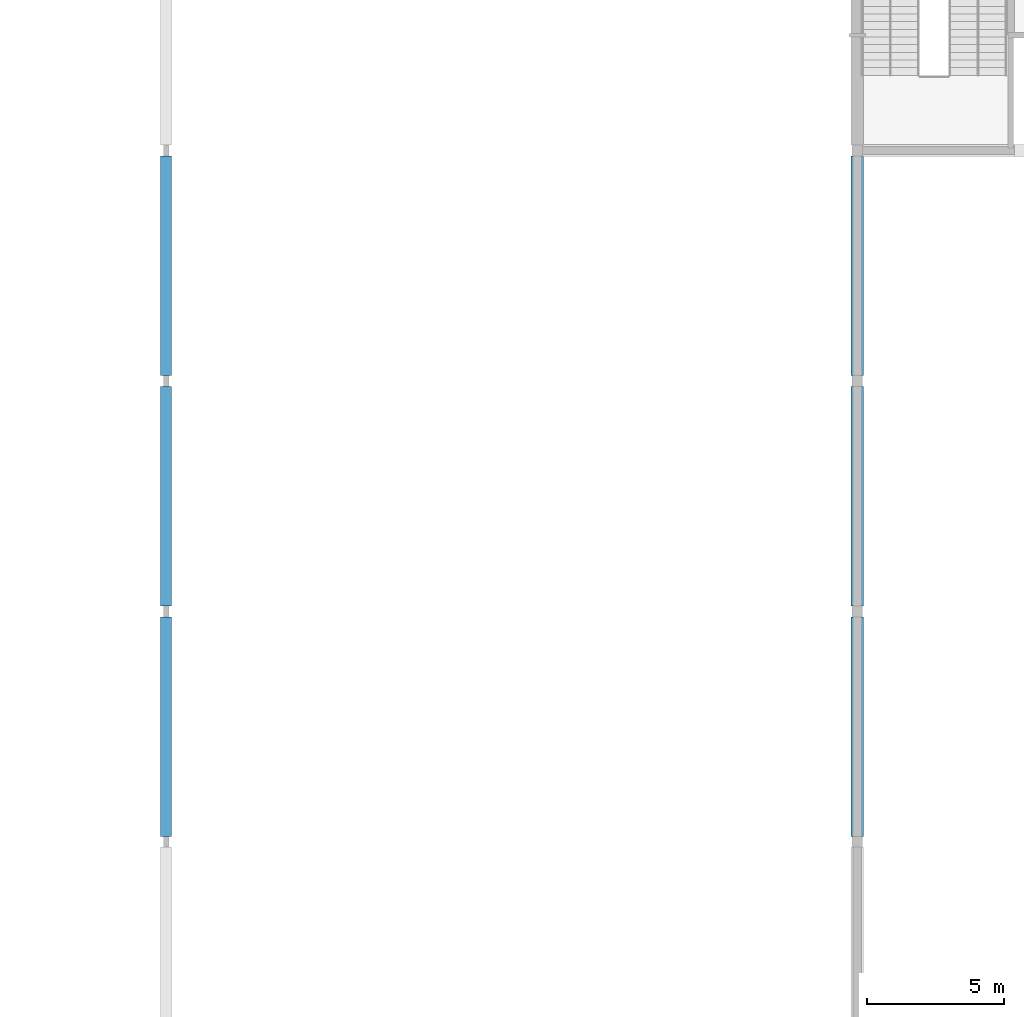
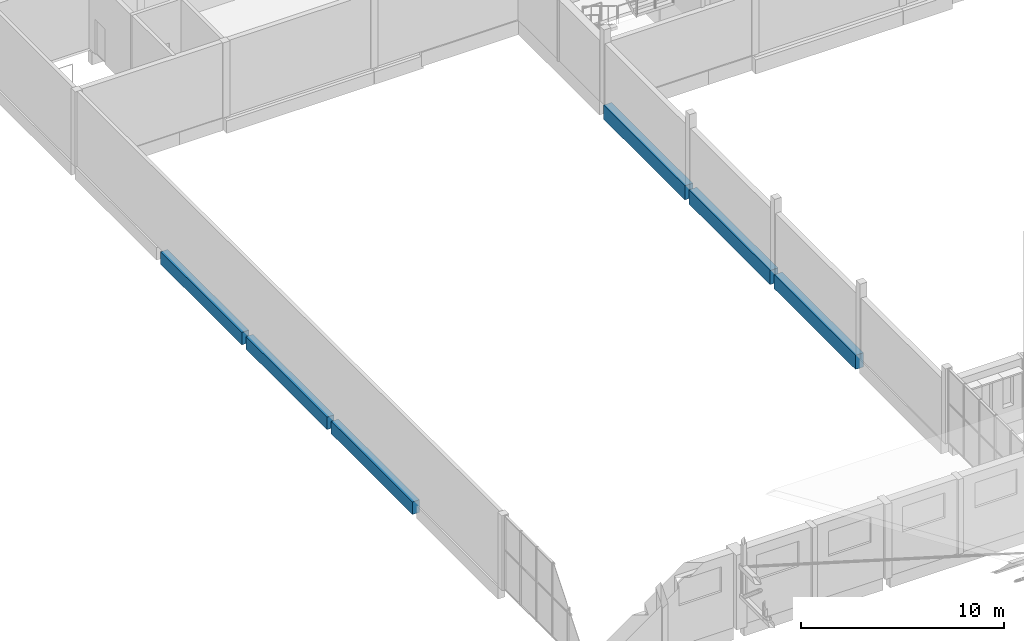
# One storey, part 42 of 101: 6 beams.
"""IFC4 building model written with IfcOpenShell, lengths in metres."""

from ifc_helpers import new_model, si_unit, direction, frame, origin, origin_2d, place, context, subcontext, project, spatial, rectangle, extrude, material, material_profile, profile_set, type_object, element, save


model = new_model("IFC4")

# Units and contexts
model_context = context("Model", 3, precision=1e-05, world=origin(), true_north=direction((0.0, 1.0)))
body_context = subcontext(model_context, "Body", "Model", "MODEL_VIEW")
ifc_project = project(units=[si_unit("LENGTHUNIT", "METRE"), si_unit("AREAUNIT", "SQUARE_METRE"), si_unit("VOLUMEUNIT", "CUBIC_METRE"), si_unit("PLANEANGLEUNIT", "RADIAN"), si_unit("MASSUNIT", "GRAM", prefix="KILO")], contexts=[model_context])

# Site, building, storey
site_placement = place(None, origin())
site = spatial("IfcSite", under=ifc_project, at=site_placement, CompositionType="ELEMENT")
building_placement = place(site_placement, origin())
building = spatial("IfcBuilding", under=site, at=building_placement, Name="Fescue Hill Polytechnic", CompositionType="ELEMENT")
storey_placement = place(building_placement, frame((0.0, 0.0, 9.0)))
storey = spatial("IfcBuildingStorey", under=building, at=storey_placement, Name="L02", CompositionType="ELEMENT", Elevation=9.0)

# Beams
ifc_material = material(Name="Concrete 35 MPa", Category="concrete")
ifc_material_profile_1 = material_profile(ifc_material, rectangle(XDim=0.39990234375, YDim=0.75, at=origin_2d()), Name="RC 400x750")
ifc_profile_set_1 = profile_set([ifc_material_profile_1], Name="Concrete 35 MPa")
beam_type_1 = type_object("IfcBeamType", Name="Beam RC 400x750", PredefinedType="BEAM", material=ifc_profile_set_1)
for number, where, z_axis, x_axis, name in (
    (1, (92.39990234375, 75.39990234375, -0.375), (0.0, -1.0, 0.0), (1.0, 0.0, 0.0), "BM-L02-0161"),
    (2, (92.39990234375, 83.800048828125, -0.375), (0.0, -1.0, 0.0), (1.0, 0.0, 0.0), "BM-L02-0162"),
    (3, (92.39990234375, 92.199951171875, -0.375), (0.0, -1.0, 0.0), (1.0, 0.0, 0.0), "BM-L02-0163"),
):
    element("IfcBeam", number, at=place(storey_placement, frame(where, z_axis=z_axis, x_axis=x_axis)), inside=storey, type_object=beam_type_1, Name=name, PredefinedType="BEAM", context=body_context, shape_type="SweptSolid", body=[
        extrude(rectangle(XDim=0.39990234375, YDim=0.75, at=origin_2d()), origin(), (0.0, 0.0, 1.0), 8.0),
    ])
ifc_material_profile_2 = material_profile(ifc_material, rectangle(XDim=0.449951171875, YDim=0.85009765625, at=origin_2d()), Name="RC 450x850")
ifc_profile_set_2 = profile_set([ifc_material_profile_2], Name="Concrete 35 MPa")
beam_type_2 = type_object("IfcBeamType", Name="Beam RC 450x850", PredefinedType="BEAM", material=ifc_profile_set_2)
for number, where, z_axis, x_axis, name in (
    (4, (117.60009765625, 75.39990234375, -0.425048828125), (0.0, -1.0, 0.0), (1.0, 0.0, 0.0), "BM-L02-0179"),
    (5, (117.60009765625, 83.800048828125, -0.425048828125), (0.0, -1.0, 0.0), (1.0, 0.0, 0.0), "BM-L02-0180"),
    (6, (117.60009765625, 92.199951171875, -0.425048828125), (0.0, -1.0, 0.0), (1.0, 0.0, 0.0), "BM-L02-0181"),
):
    element("IfcBeam", number, at=place(storey_placement, frame(where, z_axis=z_axis, x_axis=x_axis)), inside=storey, type_object=beam_type_2, Name=name, PredefinedType="BEAM", context=body_context, shape_type="SweptSolid", body=[
        extrude(rectangle(XDim=0.449951171875, YDim=0.85009765625, at=origin_2d()), origin(), (0.0, 0.0, 1.0), 8.0),
    ])

save(model, "model.ifc")
